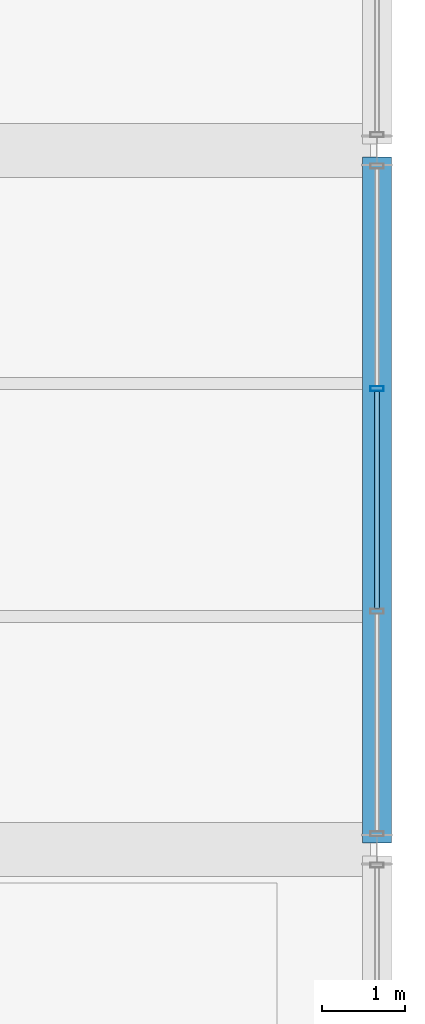
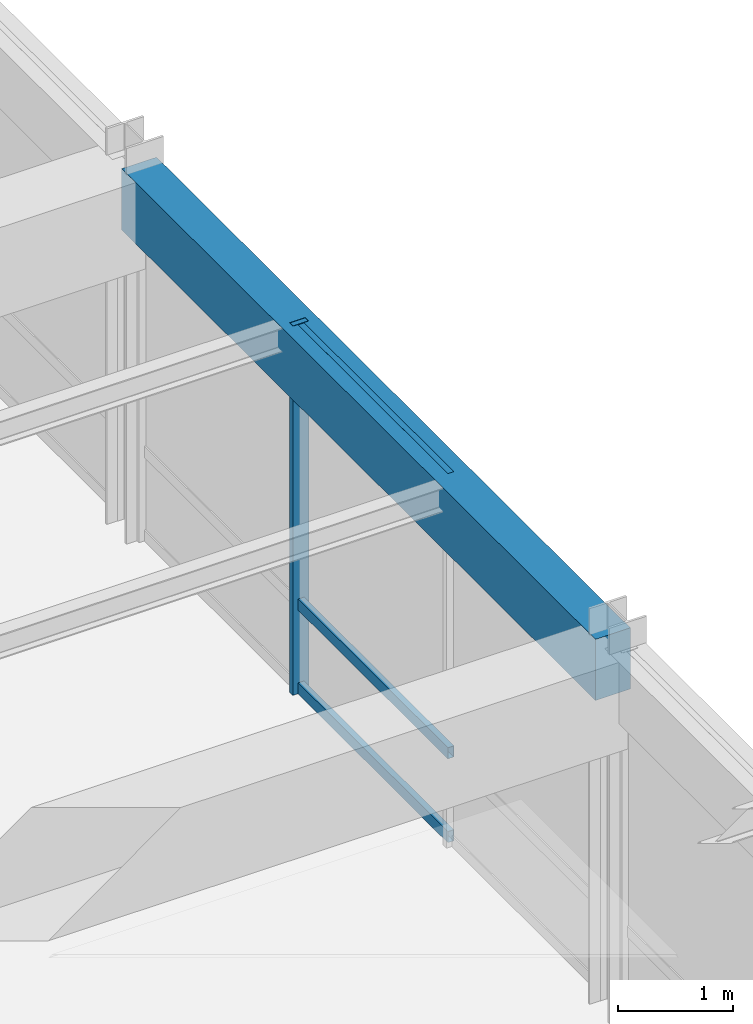
# One storey, part 81 of 138: 4 members, 1 beam, 1 element without a shape of its own.
"""IFC4 building model written with IfcOpenShell, lengths in metres."""

from ifc_helpers import new_model, si_unit, direction, frame, origin, origin_2d, place, context, subcontext, project, spatial, rectangle, hollow_rectangle, extrude, material, material_profile, profile_set, type_object, element, aggregate, save


model = new_model("IFC4")

# Units and contexts
model_context = context("Model", 3, precision=1e-05, world=origin(), true_north=direction((0.0, 1.0)))
body_context = subcontext(model_context, "Body", "Model", "MODEL_VIEW")
ifc_project = project(units=[si_unit("LENGTHUNIT", "METRE"), si_unit("AREAUNIT", "SQUARE_METRE"), si_unit("VOLUMEUNIT", "CUBIC_METRE"), si_unit("PLANEANGLEUNIT", "RADIAN"), si_unit("MASSUNIT", "GRAM", prefix="KILO"), si_unit("THERMODYNAMICTEMPERATUREUNIT", "KELVIN"), si_unit("POWERUNIT", "WATT")], contexts=[model_context])

# Site, building, storey
site_placement = place(None, origin())
site = spatial("IfcSite", under=ifc_project, at=site_placement, CompositionType="ELEMENT")
building_placement = place(site_placement, origin())
building = spatial("IfcBuilding", under=site, at=building_placement, Name="Darbajah Civic Hall", CompositionType="ELEMENT")
storey_placement = place(building_placement, frame((0.0, 0.0, 9.60009765625)))
storey = spatial("IfcBuildingStorey", under=building, at=storey_placement, Name="L02", CompositionType="ELEMENT", Elevation=9.60009765625)

# Curtain wall, members
ifc_material_1 = material(Name="Anodised Bronze Aluminium and Low-E Glazing", Category="aluminium")
curtain_wall_type = type_object("IfcCurtainWallType", Name="Unitised Curtain Wall CW-94 8000x3900", PredefinedType="USERDEFINED", material=ifc_material_1)
curtain_wall_placement = place(storey_placement, origin())
curtain_wall = element("IfcCurtainWall", 1, at=curtain_wall_placement, inside=storey, type_object=curtain_wall_type, Name="L02 unitised curtain wall CW-V3-L02-S3-B2", ObjectType="UNITISED CURTAIN WALL", PredefinedType="USERDEFINED")
ifc_material_2 = material(Name="Anodised Bronze Aluminium", Category="aluminium")
ifc_material_profile_1 = material_profile(ifc_material_2, hollow_rectangle(XDim=0.06005859375, YDim=0.159912109375, WallThickness=0.00341796875, at=origin_2d()), Name="ALU MULLION 60x160")
ifc_profile_set_1 = profile_set([ifc_material_profile_1], Name="Anodised Bronze Aluminium")
member_type_1 = type_object("IfcMemberType", Name="ALU MULLION 60x160", PredefinedType="MULLION", material=ifc_profile_set_1)
member_1_placement = place(storey_placement, frame((178.199951171875, 30.7373046875, 0.0), z_axis=(0.0, 0.0, 1.0), x_axis=(0.0, 1.0, 0.0)))
member_1 = element("IfcMember", 2, at=member_1_placement, type_object=member_type_1, Name="CW-V3-L02-S3-B2 mullion 3", PredefinedType="MULLION", context=body_context, shape_type="SweptSolid", body=[
    extrude(hollow_rectangle(XDim=0.06005859375, YDim=0.159912109375, WallThickness=0.00341796875, at=origin_2d()), origin(), (0.0, 0.0, 1.0), 3.919921875),
])
ifc_material_profile_2 = material_profile(ifc_material_2, hollow_rectangle(XDim=0.06005859375, YDim=0.1201171875, WallThickness=0.003173828125, at=origin_2d()), Name="ALU TRANSOM 60x120")
ifc_profile_set_2 = profile_set([ifc_material_profile_2], Name="Anodised Bronze Aluminium")
member_type_2 = type_object("IfcMemberType", Name="ALU TRANSOM 60x120", PredefinedType="USERDEFINED", material=ifc_profile_set_2)
member_2_placement = place(storey_placement, frame((178.199951171875, 28.097900390625, 0.059814453125), z_axis=(0.0, 1.0, 0.0), x_axis=(-1.0, 0.0, 0.0)))
member_2 = element("IfcMember", 3, at=member_2_placement, type_object=member_type_2, Name="CW-V3-L02-S3-B2 transom 2.1", ObjectType="TRANSOM", PredefinedType="USERDEFINED", context=body_context, shape_type="SweptSolid", body=[
    extrude(hollow_rectangle(XDim=0.06005859375, YDim=0.1201171875, WallThickness=0.003173828125, at=origin_2d()), origin(), (0.0, 0.0, 1.0), 2.604248046875),
])
member_3_placement = place(storey_placement, frame((178.199951171875, 28.097900390625, 0.949951171875), z_axis=(0.0, 1.0, 0.0), x_axis=(-1.0, 0.0, 0.0)))
member_3 = element("IfcMember", 4, at=member_3_placement, type_object=member_type_2, Name="CW-V3-L02-S3-B2 transom 2.2", ObjectType="TRANSOM", PredefinedType="USERDEFINED", context=body_context, shape_type="SweptSolid", body=[
    extrude(hollow_rectangle(XDim=0.06005859375, YDim=0.1201171875, WallThickness=0.003173828125, at=origin_2d()), origin(), (0.0, 0.0, 1.0), 2.604248046875),
])
member_4_placement = place(storey_placement, frame((178.199951171875, 28.097900390625, 3.85986328125), z_axis=(0.0, 1.0, 0.0), x_axis=(-1.0, 0.0, 0.0)))
member_4 = element("IfcMember", 5, at=member_4_placement, type_object=member_type_2, Name="CW-V3-L02-S3-B2 transom 2.3", ObjectType="TRANSOM", PredefinedType="USERDEFINED", context=body_context, shape_type="SweptSolid", body=[
    extrude(hollow_rectangle(XDim=0.06005859375, YDim=0.1201171875, WallThickness=0.003173828125, at=origin_2d()), origin(), (0.0, 0.0, 1.0), 2.604248046875),
])
aggregate(curtain_wall, [member_1, member_2, member_3, member_4])

# Beam
ifc_material_3 = material(Name="Concrete C45/55", Category="concrete")
ifc_material_profile_3 = material_profile(ifc_material_3, rectangle(XDim=0.35009765625, YDim=0.64990234375, at=origin_2d()), Name="RC SPANDREL 350x650")
ifc_profile_set_3 = profile_set([ifc_material_profile_3], Name="Concrete C45/55")
beam_type = type_object("IfcBeamType", Name="RC SPANDREL 350x650", PredefinedType="SPANDREL", material=ifc_profile_set_3)
beam_placement = place(storey_placement, frame((178.199951171875, 25.280029296875, 3.594970703125), z_axis=(0.0, 1.0, 0.0), x_axis=(-1.0, 0.0, 0.0)))
element("IfcBeam", 6, at=beam_placement, inside=storey, type_object=beam_type, Name="L02 beam SP-3565", PredefinedType="SPANDREL", context=body_context, shape_type="SweptSolid", body=[
    extrude(rectangle(XDim=0.35009765625, YDim=0.64990234375, at=origin_2d()), origin(), (0.0, 0.0, 1.0), 8.239990234375),
])

save(model, "model.ifc")
